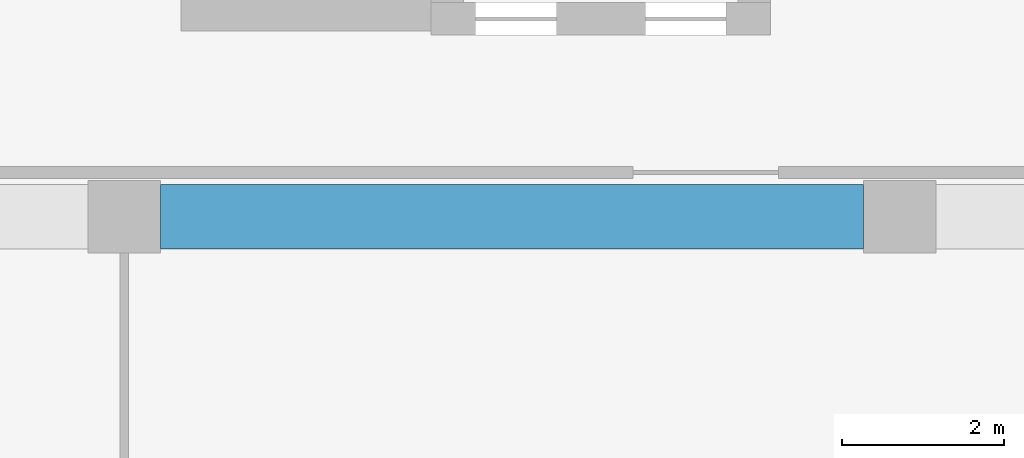
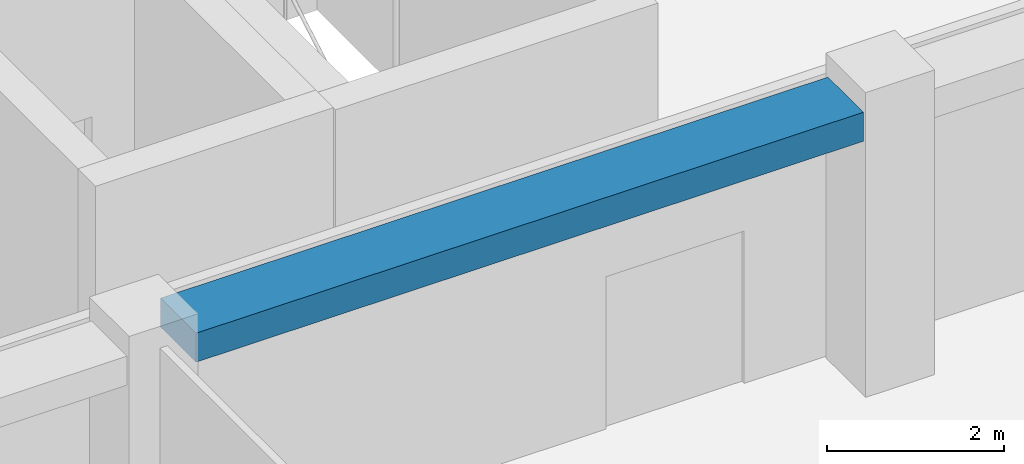
# One storey, part 5 of 38: 1 beam.
"""IFC4 building model written with IfcOpenShell, lengths in metres."""

from ifc_helpers import new_model, si_unit, direction, frame, origin, origin_2d, place, context, subcontext, project, spatial, rectangle, extrude, material, material_profile, profile_set, type_object, element, save


model = new_model("IFC4")

# Units and contexts
model_context = context("Model", 3, precision=1e-05, world=origin(), true_north=direction((0.0, 1.0)))
body_context = subcontext(model_context, "Body", "Model", "MODEL_VIEW")
ifc_project = project(units=[si_unit("LENGTHUNIT", "METRE"), si_unit("AREAUNIT", "SQUARE_METRE"), si_unit("VOLUMEUNIT", "CUBIC_METRE"), si_unit("PLANEANGLEUNIT", "RADIAN"), si_unit("MASSUNIT", "GRAM", prefix="KILO")], contexts=[model_context])

# Site, building, storey
site_placement = place(None, origin())
site = spatial("IfcSite", under=ifc_project, at=site_placement, CompositionType="ELEMENT")
building_placement = place(site_placement, origin())
building = spatial("IfcBuilding", under=site, at=building_placement, Name="Nzadi Deep Aquarium and Research Tower", CompositionType="ELEMENT")
storey_placement = place(building_placement, frame((0.0, 0.0, 65.5)))
storey = spatial("IfcBuildingStorey", under=building, at=storey_placement, Name="L13", CompositionType="ELEMENT", Elevation=65.5)

# Beam
ifc_material = material(Name="Concrete C35/45", Category="concrete")
ifc_material_profile = material_profile(ifc_material, rectangle(XDim=0.800048828125, YDim=0.39990234375, at=origin_2d()))
ifc_profile_set = profile_set([ifc_material_profile], Name="Concrete C35/45")
beam_type = type_object("IfcBeamType", Name="RC 800x400", PredefinedType="BEAM", material=ifc_profile_set)
beam_placement = place(storey_placement, frame((19.64990234375, 9.199951171875, 3.699951171875), z_axis=(1.0, 0.0, 0.0), x_axis=(0.0, 1.0, 0.0)))
element("IfcBeam", 1, at=beam_placement, inside=storey, type_object=beam_type, Name="B-Z1-L13-L2-3", PredefinedType="BEAM", context=body_context, shape_type="SweptSolid", body=[
    extrude(rectangle(XDim=0.800048828125, YDim=0.39990234375, at=origin_2d()), origin(), (0.0, 0.0, 1.0), 8.7001953125),
])

save(model, "model.ifc")
